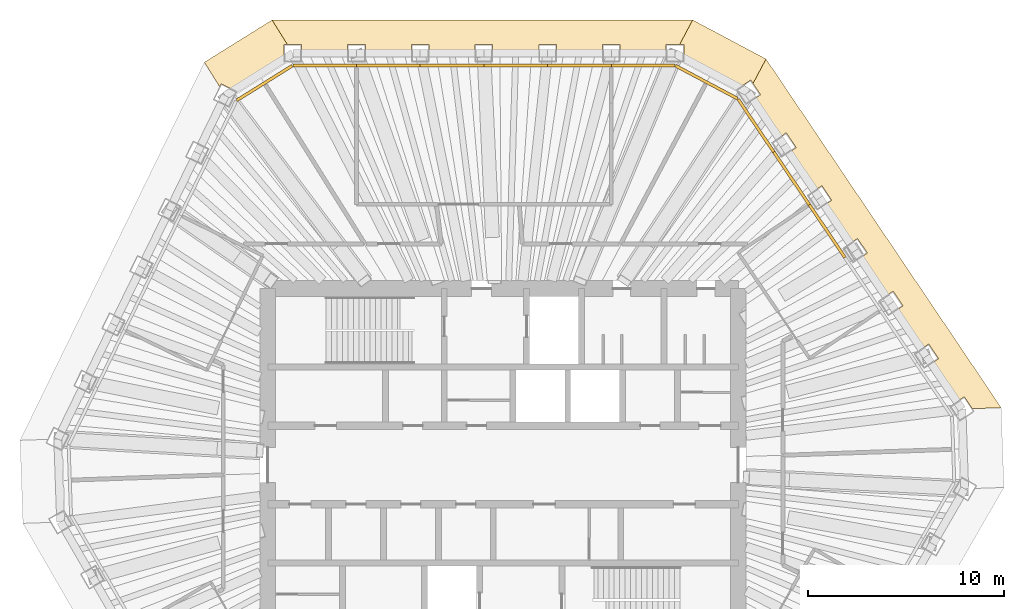
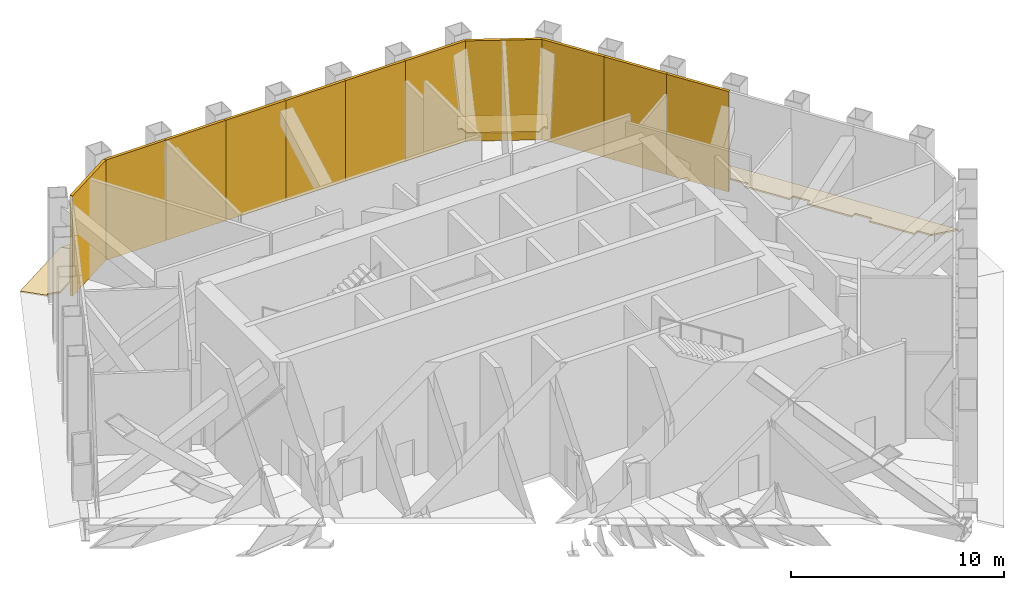
# One storey, part 10 of 10: 11 shading devices, 4 coverings.
"""IFC4 building model written with IfcOpenShell, lengths in metres."""

from ifc_helpers import new_model, si_unit, direction, frame, origin, place, context, subcontext, project, spatial, polyline, outline, extrude, material, layer, layer_set, type_object, element, save


model = new_model("IFC4")

# Units and contexts
model_context = context("Model", 3, precision=1e-05, world=origin(), true_north=direction((0.0, 1.0)))
body_context = subcontext(model_context, "Body", "Model", "MODEL_VIEW")
ifc_project = project(units=[si_unit("LENGTHUNIT", "METRE"), si_unit("AREAUNIT", "SQUARE_METRE"), si_unit("VOLUMEUNIT", "CUBIC_METRE"), si_unit("PLANEANGLEUNIT", "RADIAN"), si_unit("MASSUNIT", "GRAM", prefix="KILO")], contexts=[model_context])

# Site, building, storey
site_placement = place(None, origin())
site = spatial("IfcSite", under=ifc_project, at=site_placement, CompositionType="ELEMENT")
building_placement = place(site_placement, origin())
building = spatial("IfcBuilding", under=site, at=building_placement, Name="Qingtian Harvest Tower", CompositionType="ELEMENT")
storey_placement = place(building_placement, frame((0.0, 0.0, 337.60009765625)))
storey = spatial("IfcBuildingStorey", under=building, at=storey_placement, Name="L75", CompositionType="ELEMENT", Elevation=337.60009765625)

# Shading devices
ifc_material_1 = material(Name="Bronze-finished aluminium lattice", Category="aluminium")
ifc_layer_1 = layer(ifc_material_1, 0.14990234375)
ifc_layer_set_1 = layer_set([ifc_layer_1], Name="Bronze crown screen LS2 150")
shading_device_type = type_object("IfcShadingDeviceType", Name="Bronze crown screen LS2 150", PredefinedType="USERDEFINED", material=ifc_layer_set_1)
shading_device_1_placement = place(storey_placement, frame((-10.72216796875, 20.300048828125, 0.0), z_axis=(0.0, -1.0, 0.0), x_axis=(1.0, 0.0, 0.0)))
element("IfcShadingDevice", 1, at=shading_device_1_placement, inside=storey, type_object=shading_device_type, Name="Lattice screen LS2 L75 N0", ObjectType="SCREEN", PredefinedType="USERDEFINED", context=body_context, shape_type="SweptSolid", body=[
    extrude(outline(polyline([(0.0, 0.0), (3.248046875, 0.0), (3.248046875, 5.75), (0.0, 5.75), (0.0, 0.0)])), origin(), (0.0, 0.0, -1.0), 0.14990234375),
])
shading_device_2_placement = place(storey_placement, frame((-7.47412109375, 20.300048828125, 0.0), z_axis=(0.0, -1.0, 0.0), x_axis=(1.0, 0.0, 0.0)))
element("IfcShadingDevice", 2, at=shading_device_2_placement, inside=storey, type_object=shading_device_type, Name="Lattice screen LS2 L75 N1", ObjectType="SCREEN", PredefinedType="USERDEFINED", context=body_context, shape_type="SweptSolid", body=[
    extrude(outline(polyline([(0.0, 0.0), (3.247802734375, 0.0), (3.247802734375, 5.75), (0.0, 5.75), (0.0, 0.0)])), origin(), (0.0, 0.0, -1.0), 0.14990234375),
])
for number, where, z_axis, x_axis, name in (
    (3, (-4.226318359375, 20.300048828125, 0.0), (0.0, -1.0, 0.0), (1.0, 0.0, 0.0), "Lattice screen LS2 L75 N2"),
    (4, (-0.978271484375, 20.300048828125, 0.0), (0.0, -1.0, 0.0), (1.0, 0.0, 0.0), "Lattice screen LS2 L75 N3"),
    (5, (2.269775390625, 20.300048828125, 0.0), (0.0, -1.0, 0.0), (1.0, 0.0, 0.0), "Lattice screen LS2 L75 N4"),
    (6, (5.517822265625, 20.300048828125, 0.0), (0.0, -1.0, 0.0), (1.0, 0.0, 0.0), "Lattice screen LS2 L75 N5"),
):
    element("IfcShadingDevice", number, at=place(storey_placement, frame(where, z_axis=z_axis, x_axis=x_axis)), inside=storey, type_object=shading_device_type, Name=name, ObjectType="SCREEN", PredefinedType="USERDEFINED", context=body_context, shape_type="SweptSolid", body=[
        extrude(outline(polyline([(0.0, 0.0), (3.248046875, 0.0), (3.248046875, 5.75), (0.0, 5.75), (0.0, 0.0)])), origin(), (0.0, 0.0, -1.0), 0.14990234375),
    ])
shading_device_3_placement = place(storey_placement, frame((8.765869140625, 20.300048828125, 0.0), z_axis=(-0.469462588402, -0.882952364565, 0.0), x_axis=(0.882952364565, -0.469462588402, 0.0)))
element("IfcShadingDevice", 7, at=shading_device_3_placement, inside=storey, type_object=shading_device_type, Name="Lattice screen LS2 L75 NC", ObjectType="SCREEN", PredefinedType="USERDEFINED", context=body_context, shape_type="SweptSolid", body=[
    extrude(outline(polyline([(0.0, 0.0), (3.581014515922184, 0.0), (3.581014515922184, 5.75), (0.0, 5.75), (0.0, 0.0)])), origin(), (0.0, 0.0, -1.0), 0.14990234375),
])
shading_device_4_placement = place(storey_placement, frame((11.927734375, 18.618896484375, 0.0), z_axis=(-0.829066456504, -0.55915007887, 0.0), x_axis=(0.55915007887, -0.829066456504, 0.0)))
element("IfcShadingDevice", 8, at=shading_device_4_placement, inside=storey, type_object=shading_device_type, Name="Lattice screen LS2 L75 NE0", ObjectType="SCREEN", PredefinedType="USERDEFINED", context=body_context, shape_type="SweptSolid", body=[
    extrude(outline(polyline([(0.0, 0.0), (3.2480762822144085, 0.0), (3.2480762822144085, 5.75), (0.0, 5.75), (0.0, 0.0)])), origin(), (0.0, 0.0, -1.0), 0.14990234375),
])
shading_device_5_placement = place(storey_placement, frame((13.743896484375, 15.926025390625, 0.0), z_axis=(-0.829042954158, -0.559184924833, 0.0), x_axis=(0.559184924833, -0.829042954158, 0.0)))
element("IfcShadingDevice", 9, at=shading_device_5_placement, inside=storey, type_object=shading_device_type, Name="Lattice screen LS2 L75 NE1", ObjectType="SCREEN", PredefinedType="USERDEFINED", context=body_context, shape_type="SweptSolid", body=[
    extrude(outline(polyline([(0.0, 0.0), (3.2478738762804, 0.0), (3.2478738762804, 5.75), (0.0, 5.75), (0.0, 0.0)])), origin(), (0.0, 0.0, -1.0), 0.14990234375),
])
shading_device_6_placement = place(storey_placement, frame((15.56005859375, 13.2333984375, 0.0), z_axis=(-0.829008106372, -0.5592365864, 0.0), x_axis=(0.5592365864, -0.829008106372, 0.0)))
element("IfcShadingDevice", 10, at=shading_device_6_placement, inside=storey, type_object=shading_device_type, Name="Lattice screen LS2 L75 NE2", ObjectType="SCREEN", PredefinedType="USERDEFINED", context=body_context, shape_type="SweptSolid", body=[
    extrude(outline(polyline([(0.0, 0.0), (3.2480104023439154, 0.0), (3.2480104023439154, 5.75), (0.0, 5.75), (0.0, 0.0)])), origin(), (0.0, 0.0, -1.0), 0.14990234375),
])
shading_device_7_placement = place(storey_placement, frame((-13.545166015625, 18.5361328125, 0.0), z_axis=(0.529900047545, -0.848060103773, 0.0), x_axis=(0.848060103773, 0.529900047545, 0.0)))
element("IfcShadingDevice", 11, at=shading_device_7_placement, inside=storey, type_object=shading_device_type, Name="Lattice screen LS2 L75 NWC", ObjectType="SCREEN", PredefinedType="USERDEFINED", context=body_context, shape_type="SweptSolid", body=[
    extrude(outline(polyline([(0.0, 0.0), (3.3287711971294214, 0.0), (3.3287711971294214, 5.75), (0.0, 5.75), (0.0, 0.0)])), origin(), (0.0, 0.0, -1.0), 0.14990234375),
])

# Coverings
ifc_material_2 = material(Name="Bronze-finished aluminium plate", Category="aluminium")
ifc_layer_2 = layer(ifc_material_2, 0.080078125)
ifc_layer_set_2 = layer_set([ifc_layer_2], Name="Bronze eave band EB1")
covering_type = type_object("IfcCoveringType", Name="Bronze eave band EB1", PredefinedType="CLADDING", material=ifc_layer_set_2)
covering_1_placement = place(storey_placement, frame((-10.272216796875, 21.10009765625, -0.02001953125), z_axis=(0.0, 0.184321622736, 0.982865982417), x_axis=(0.0, 0.982865982417, -0.184321622736)))
element("IfcCovering", 12, at=covering_1_placement, inside=storey, type_object=covering_type, Name="Eave band EB1 L75 1", PredefinedType="CLADDING", context=body_context, shape_type="SweptSolid", body=[
    extrude(outline(polyline([(0.0, 0.0), (0.3559642259079912, 0.0), (0.3559642259079912, 0.7312011718750001), (1.627747084257631, 1.5122070312500004), (1.627747084257631, -19.942138671875004), (0.3559642259079912, -19.277343750000004), (0.3559642259079912, -18.588134765625004), (0.0, -18.588134765625004), (0.0, -16.239990234375004), (0.3559642259079912, -16.239990234375004), (0.3559642259079912, -15.340087890625004), (0.0, -15.340087890625004), (0.0, -12.991943359375004), (0.3559642259079912, -12.991943359375004), (0.3559642259079912, -12.092041015625004), (0.0, -12.092041015625004), (0.0, -9.744140625000002), (0.3559642259079912, -9.744140625000002), (0.3559642259079912, -8.843994140625002), (0.0, -8.843994140625002), (0.0, -6.496093750000002), (0.3559642259079912, -6.496093750000002), (0.3559642259079912, -5.595947265625001), (0.0, -5.595947265625001), (0.0, -3.248046875000001), (0.3559642259079912, -3.248046875000001), (0.3559642259079912, -2.3479003906250004), (0.0, -2.3479003906250004), (0.0, 0.0)])), origin(), (0.0, 0.0, -1.0), 0.080078125),
])
covering_2_placement = place(storey_placement, frame((9.2158203125, 20.888916015625, -0.02001953125), z_axis=(0.076689596702, 0.144230788846, 0.986567881753), x_axis=(1.467975e-06, 0.989481873342, -0.144656912473)))
element("IfcCovering", 13, at=covering_2_placement, inside=storey, type_object=covering_type, Name="Eave band EB1 L75 2", PredefinedType="CLADDING", context=body_context, shape_type="SweptSolid", body=[
    extrude(outline(polyline([(0.0, 0.0), (0.5670005047680542, 2.6020852139652106e-18), (0.5646339813310814, 0.21131411711145615), (1.8353912627710673, -0.4554391044506122), (-0.13342093646872788, -4.208438990711965), (-1.4041782175503217, -3.541929190784763), (-1.2288461068529306, -3.423658306889548), (-1.5511341259756515, -2.9571961068228383), (0.0, 0.0)])), origin(), (0.0, 0.0, -1.0), 0.080078125),
])
covering_3_placement = place(storey_placement, frame((12.842529296875, 18.693115234375, -0.02001953125), z_axis=(0.152804321751, 0.103067032553, 0.982867247422), x_axis=(0.814616423949, 0.549934644402, -0.18431486299)))
element("IfcCovering", 14, at=covering_3_placement, inside=storey, type_object=covering_type, Name="Eave band EB1 L75 3", PredefinedType="CLADDING", context=body_context, shape_type="SweptSolid", body=[
    extrude(outline(polyline([(0.0, 0.0), (0.35605287954250525, -1.7479371899539742e-17), (0.3563903675570982, 0.6890512688878291), (1.6283614500269212, 1.35324171328223), (1.620027080954187, -20.101008022837398), (0.3484514021092227, -19.31944842871844), (0.348895696141955, -18.588347664079762), (-0.007221802975633906, -18.588008715484516), (-0.006337576458372851, -16.240045990979716), (0.3499141840470102, -16.240182589987576), (0.3501244396885786, -15.340135096726671), (-0.00592843985392566, -15.340135096726671), (-0.0050442133366637165, -12.992172372221873), (0.35100866620584054, -12.992172372221873), (0.3514178028102877, -12.092261477968826), (-0.004699696307302048, -12.09192252937358), (-0.0038154697900401047, -9.74395980486878), (0.35243629071534205, -9.74409640387664), (0.3526465463569109, -8.844048910615735), (-0.0034063331855938017, -8.844048910615735), (-0.0025221066683318583, -6.4960861861109365), (0.3535307728741733, -6.496086186110936), (0.3539399094786196, -5.596175291857889), (-0.0023118510267634562, -5.596038692850031), (-0.0012933631217084685, -3.2478736187578447), (0.35482413599588153, -3.2482125673530913), (0.3551686530252434, -2.3479627245047983), (-0.0008842265172617214, -2.3479627245047983), (0.0, 0.0)])), origin(), (0.0, 0.0, -1.0), 0.080078125),
])
covering_4_placement = place(storey_placement, frame((-13.849365234375, 19.18505859375, -0.02001953125), z_axis=(-0.08323131445, 0.133204891448, 0.987587467108), x_axis=(-0.8907726526, 0.43435003778, -0.133656747155)))
element("IfcCovering", 15, at=covering_4_placement, inside=storey, type_object=covering_type, Name="Eave band EB1 L75 12", PredefinedType="CLADDING", context=body_context, shape_type="SweptSolid", body=[
    extrude(outline(polyline([(0.0, 0.0), (0.5974863840694177, 2.3418766925686896e-17), (0.5956359565648203, 0.16927882524972254), (1.8655979649564427, -0.6146843679357447), (-0.2725960594513244, -4.078501383420162), (-1.5425580678429467, -3.2945381902346953), (-1.3901736032594003, -3.220228045284068), (-1.65799699142767, -2.6862274258042915), (0.0, 0.0)])), origin(), (0.0, 0.0, -1.0), 0.080078125),
])

save(model, "model.ifc")
